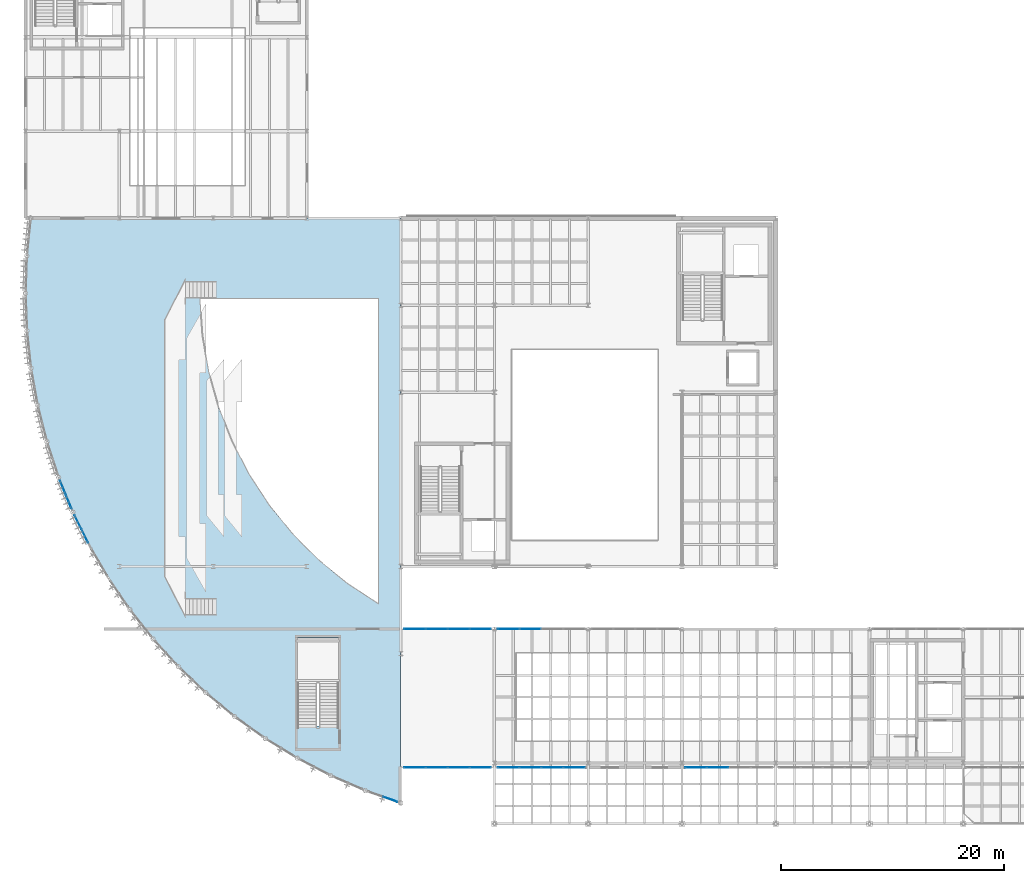
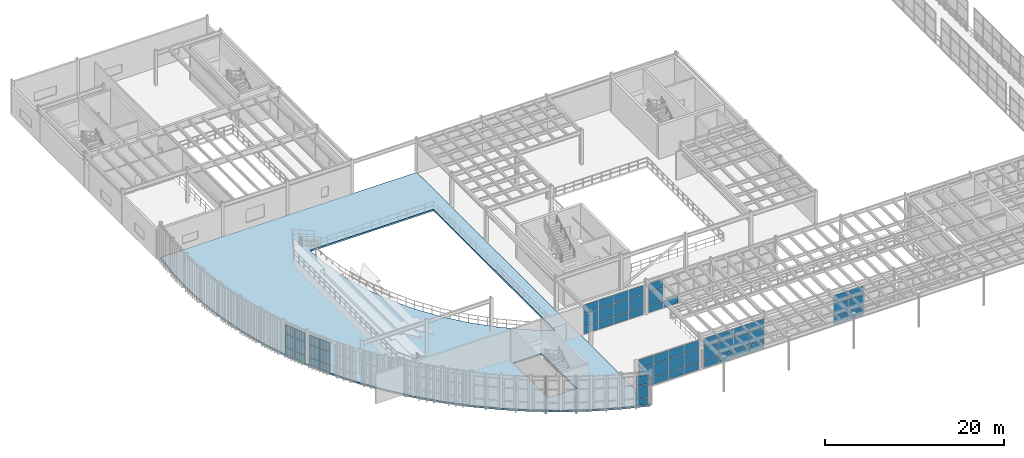
# One storey, part 73 of 105: 61 plates, 1 slab, 8 elements without a shape of their own.
"""IFC4 building model written with IfcOpenShell, lengths in metres."""

from ifc_helpers import new_model, si_unit, direction, frame, origin, origin_2d, place, context, subcontext, project, spatial, polyline, rectangle, outline, extrude, material, layer, layer_set, type_object, element, aggregate, save


model = new_model("IFC4")

# Units and contexts
model_context = context("Model", 3, precision=1e-05, world=origin(), true_north=direction((0.0, 1.0)))
body_context = subcontext(model_context, "Body", "Model", "MODEL_VIEW")
ifc_project = project(units=[si_unit("LENGTHUNIT", "METRE"), si_unit("AREAUNIT", "SQUARE_METRE"), si_unit("VOLUMEUNIT", "CUBIC_METRE"), si_unit("PLANEANGLEUNIT", "RADIAN"), si_unit("MASSUNIT", "GRAM", prefix="KILO")], contexts=[model_context])

# Site, building, storey
site_placement = place(None, origin())
site = spatial("IfcSite", under=ifc_project, at=site_placement, CompositionType="ELEMENT")
building_placement = place(site_placement, origin())
building = spatial("IfcBuilding", under=site, at=building_placement, Name="Selat Folded Stagehouse", CompositionType="ELEMENT")
storey_placement = place(building_placement, frame((0.0, 0.0, 10.199951171875)))
storey = spatial("IfcBuildingStorey", under=building, at=storey_placement, Name="L02", CompositionType="ELEMENT", Elevation=10.199951171875)

# Curtain wall, plates
ifc_material_1 = material(Name="Aluminium 6063-T6", Category="aluminium")
ifc_layer_1 = layer(ifc_material_1, 0.195068359375)
ifc_layer_set_1 = layer_set([ifc_layer_1], Name="Aluminium 6063-T6")
curtain_wall_type_1 = type_object("IfcCurtainWallType", Name="CW-FYR-COURT", PredefinedType="NOTDEFINED", material=ifc_layer_set_1)
curtain_wall_1_placement = place(storey_placement, origin())
curtain_wall_1 = element("IfcCurtainWall", 1, at=curtain_wall_1_placement, inside=storey, type_object=curtain_wall_type_1, Name="L02 curtain wall CW-FYR-L02-07", PredefinedType="NOTDEFINED")
ifc_material_2 = material(Name="Clear laminated double glazing", Category="glass")
ifc_layer_2 = layer(ifc_material_2, 0.028076171875)
ifc_layer_set_2 = layer_set([ifc_layer_2], Name="Clear laminated double glazing")
plate_type_1 = type_object("IfcPlateType", Name="CWP-GLZ-DGU28", PredefinedType="CURTAIN_PANEL", material=ifc_layer_set_2)
plate_1_placement = place(storey_placement, frame((34.853759765625, 17.800048828125, 0.06494140625), z_axis=(0.0, 0.0, 1.0), x_axis=(1.0, 0.0, 0.0)))
plate_1 = element("IfcPlate", 2, at=plate_1_placement, type_object=plate_type_1, Name="CW-05 panel 1.1", PredefinedType="CURTAIN_PANEL", context=body_context, shape_type="SweptSolid", body=[
    extrude(rectangle(XDim=1.87744140625, YDim=0.028076171875, at=origin_2d()), origin(), (0.0, 0.0, 1.0), 0.952392578125),
])
plate_2_placement = place(storey_placement, frame((34.853759765625, 17.800048828125, 1.08251953125), z_axis=(0.0, 0.0, 1.0), x_axis=(1.0, 0.0, 0.0)))
plate_2 = element("IfcPlate", 3, at=plate_2_placement, type_object=plate_type_1, Name="CW-05 panel 1.2", PredefinedType="CURTAIN_PANEL", context=body_context, shape_type="SweptSolid", body=[
    extrude(rectangle(XDim=1.87744140625, YDim=0.028076171875, at=origin_2d()), origin(), (0.0, 0.0, 1.0), 1.735107421875),
])
plate_3_placement = place(storey_placement, frame((34.853759765625, 17.800048828125, 2.88232421875), z_axis=(0.0, 0.0, 1.0), x_axis=(1.0, 0.0, 0.0)))
plate_3 = element("IfcPlate", 4, at=plate_3_placement, type_object=plate_type_1, Name="CW-05 panel 1.3", PredefinedType="CURTAIN_PANEL", context=body_context, shape_type="SweptSolid", body=[
    extrude(rectangle(XDim=1.87744140625, YDim=0.028076171875, at=origin_2d()), origin(), (0.0, 0.0, 1.0), 1.172607421875),
])
plate_4_placement = place(storey_placement, frame((36.8125, 17.800048828125, 0.06494140625), z_axis=(0.0, 0.0, 1.0), x_axis=(1.0, 0.0, 0.0)))
plate_4 = element("IfcPlate", 5, at=plate_4_placement, type_object=plate_type_1, Name="CW-05 panel 2.1", PredefinedType="CURTAIN_PANEL", context=body_context, shape_type="SweptSolid", body=[
    extrude(rectangle(XDim=1.909912109375, YDim=0.028076171875, at=origin_2d()), origin(), (0.0, 0.0, 1.0), 0.952392578125),
])
plate_5_placement = place(storey_placement, frame((36.8125, 17.800048828125, 1.08251953125), z_axis=(0.0, 0.0, 1.0), x_axis=(1.0, 0.0, 0.0)))
plate_5 = element("IfcPlate", 6, at=plate_5_placement, type_object=plate_type_1, Name="CW-05 panel 2.2", PredefinedType="CURTAIN_PANEL", context=body_context, shape_type="SweptSolid", body=[
    extrude(rectangle(XDim=1.909912109375, YDim=0.028076171875, at=origin_2d()), origin(), (0.0, 0.0, 1.0), 1.735107421875),
])
plate_6_placement = place(storey_placement, frame((36.8125, 17.800048828125, 2.88232421875), z_axis=(0.0, 0.0, 1.0), x_axis=(1.0, 0.0, 0.0)))
plate_6 = element("IfcPlate", 7, at=plate_6_placement, type_object=plate_type_1, Name="CW-05 panel 2.3", PredefinedType="CURTAIN_PANEL", context=body_context, shape_type="SweptSolid", body=[
    extrude(rectangle(XDim=1.909912109375, YDim=0.028076171875, at=origin_2d()), origin(), (0.0, 0.0, 1.0), 1.172607421875),
])
plate_7_placement = place(storey_placement, frame((38.78759765625, 17.800048828125, 0.06494140625), z_axis=(0.0, 0.0, 1.0), x_axis=(1.0, 0.0, 0.0)))
plate_7 = element("IfcPlate", 8, at=plate_7_placement, type_object=plate_type_1, Name="CW-05 panel 3.1", PredefinedType="CURTAIN_PANEL", context=body_context, shape_type="SweptSolid", body=[
    extrude(rectangle(XDim=1.909912109375, YDim=0.028076171875, at=origin_2d()), origin(), (0.0, 0.0, 1.0), 0.952392578125),
])
plate_8_placement = place(storey_placement, frame((38.78759765625, 17.800048828125, 1.08251953125), z_axis=(0.0, 0.0, 1.0), x_axis=(1.0, 0.0, 0.0)))
plate_8 = element("IfcPlate", 9, at=plate_8_placement, type_object=plate_type_1, Name="CW-05 panel 3.2", PredefinedType="CURTAIN_PANEL", context=body_context, shape_type="SweptSolid", body=[
    extrude(rectangle(XDim=1.909912109375, YDim=0.028076171875, at=origin_2d()), origin(), (0.0, 0.0, 1.0), 1.735107421875),
])
plate_9_placement = place(storey_placement, frame((38.78759765625, 17.800048828125, 2.88232421875), z_axis=(0.0, 0.0, 1.0), x_axis=(1.0, 0.0, 0.0)))
plate_9 = element("IfcPlate", 10, at=plate_9_placement, type_object=plate_type_1, Name="CW-05 panel 3.3", PredefinedType="CURTAIN_PANEL", context=body_context, shape_type="SweptSolid", body=[
    extrude(rectangle(XDim=1.909912109375, YDim=0.028076171875, at=origin_2d()), origin(), (0.0, 0.0, 1.0), 1.172607421875),
])
plate_10_placement = place(storey_placement, frame((40.746337890625, 17.800048828125, 0.06494140625), z_axis=(0.0, 0.0, 1.0), x_axis=(1.0, 0.0, 0.0)))
plate_10 = element("IfcPlate", 11, at=plate_10_placement, type_object=plate_type_1, Name="CW-05 panel 4.1", PredefinedType="CURTAIN_PANEL", context=body_context, shape_type="SweptSolid", body=[
    extrude(rectangle(XDim=1.87744140625, YDim=0.028076171875, at=origin_2d()), origin(), (0.0, 0.0, 1.0), 0.952392578125),
])
plate_11_placement = place(storey_placement, frame((40.746337890625, 17.800048828125, 1.08251953125), z_axis=(0.0, 0.0, 1.0), x_axis=(1.0, 0.0, 0.0)))
plate_11 = element("IfcPlate", 12, at=plate_11_placement, type_object=plate_type_1, Name="CW-05 panel 4.2", PredefinedType="CURTAIN_PANEL", context=body_context, shape_type="SweptSolid", body=[
    extrude(rectangle(XDim=1.87744140625, YDim=0.028076171875, at=origin_2d()), origin(), (0.0, 0.0, 1.0), 1.735107421875),
])
plate_12_placement = place(storey_placement, frame((40.746337890625, 17.800048828125, 2.88232421875), z_axis=(0.0, 0.0, 1.0), x_axis=(1.0, 0.0, 0.0)))
plate_12 = element("IfcPlate", 13, at=plate_12_placement, type_object=plate_type_1, Name="CW-05 panel 4.3", PredefinedType="CURTAIN_PANEL", context=body_context, shape_type="SweptSolid", body=[
    extrude(rectangle(XDim=1.87744140625, YDim=0.028076171875, at=origin_2d()), origin(), (0.0, 0.0, 1.0), 1.172607421875),
])
aggregate(curtain_wall_1, [plate_1, plate_2, plate_3, plate_4, plate_5, plate_6, plate_7, plate_8, plate_9, plate_10, plate_11, plate_12])

curtain_wall_2_placement = place(storey_placement, origin())
curtain_wall_2 = element("IfcCurtainWall", 14, at=curtain_wall_2_placement, inside=storey, type_object=curtain_wall_type_1, Name="L02 curtain wall CW-FYR-L02-08", PredefinedType="NOTDEFINED")
plate_13_placement = place(storey_placement, frame((43.253662109375, 17.800048828125, 0.06494140625), z_axis=(0.0, 0.0, 1.0), x_axis=(1.0, 0.0, 0.0)))
plate_13 = element("IfcPlate", 15, at=plate_13_placement, type_object=plate_type_1, Name="CW-05 panel 1.1", PredefinedType="CURTAIN_PANEL", context=body_context, shape_type="SweptSolid", body=[
    extrude(rectangle(XDim=1.87744140625, YDim=0.028076171875, at=origin_2d()), origin(), (0.0, 0.0, 1.0), 0.952392578125),
])
plate_14_placement = place(storey_placement, frame((43.253662109375, 17.800048828125, 1.08251953125), z_axis=(0.0, 0.0, 1.0), x_axis=(1.0, 0.0, 0.0)))
plate_14 = element("IfcPlate", 16, at=plate_14_placement, type_object=plate_type_1, Name="CW-05 panel 1.2", PredefinedType="CURTAIN_PANEL", context=body_context, shape_type="SweptSolid", body=[
    extrude(rectangle(XDim=1.87744140625, YDim=0.028076171875, at=origin_2d()), origin(), (0.0, 0.0, 1.0), 1.735107421875),
])
plate_15_placement = place(storey_placement, frame((43.253662109375, 17.800048828125, 2.88232421875), z_axis=(0.0, 0.0, 1.0), x_axis=(1.0, 0.0, 0.0)))
plate_15 = element("IfcPlate", 17, at=plate_15_placement, type_object=plate_type_1, Name="CW-05 panel 1.3", PredefinedType="CURTAIN_PANEL", context=body_context, shape_type="SweptSolid", body=[
    extrude(rectangle(XDim=1.87744140625, YDim=0.028076171875, at=origin_2d()), origin(), (0.0, 0.0, 1.0), 1.172607421875),
])
plate_16_placement = place(storey_placement, frame((45.21240234375, 17.800048828125, 0.06494140625), z_axis=(0.0, 0.0, 1.0), x_axis=(1.0, 0.0, 0.0)))
plate_16 = element("IfcPlate", 18, at=plate_16_placement, type_object=plate_type_1, Name="CW-05 panel 2.1", PredefinedType="CURTAIN_PANEL", context=body_context, shape_type="SweptSolid", body=[
    extrude(rectangle(XDim=1.909912109375, YDim=0.028076171875, at=origin_2d()), origin(), (0.0, 0.0, 1.0), 0.952392578125),
])
aggregate(curtain_wall_2, [plate_13, plate_14, plate_15, plate_16])

ifc_layer_3 = layer(ifc_material_1, 0.199951171875)
ifc_layer_set_3 = layer_set([ifc_layer_3], Name="Aluminium 6063-T6")
curtain_wall_type_2 = type_object("IfcCurtainWallType", Name="CW-DRM-MID", PredefinedType="NOTDEFINED", material=ifc_layer_set_3)
curtain_wall_3_placement = place(storey_placement, origin())
curtain_wall_3 = element("IfcCurtainWall", 19, at=curtain_wall_3_placement, inside=storey, type_object=curtain_wall_type_2, Name="L02 curtain wall CW-DRM-L02-07", PredefinedType="NOTDEFINED")
ifc_material_3 = material(Name="Laminated low-E double glazing", Category="glass")
ifc_layer_4 = layer(ifc_material_3, 0.031982421875)
ifc_layer_set_4 = layer_set([ifc_layer_4], Name="Laminated low-E double glazing")
plate_type_2 = type_object("IfcPlateType", Name="CWP-GLZ-DGU32", PredefinedType="CURTAIN_PANEL", material=ifc_layer_set_4)
plate_17_placement = place(storey_placement, frame((3.871337890625, 29.176513671875, 0.06494140625), z_axis=(0.0, 0.0, 1.0), x_axis=(-0.378890707813, 0.925441425231, 0.0)))
plate_17 = element("IfcPlate", 20, at=plate_17_placement, type_object=plate_type_2, Name="CW-02 panel 1.1", PredefinedType="CURTAIN_PANEL", context=body_context, shape_type="SweptSolid", body=[
    extrude(rectangle(XDim=1.3369140625, YDim=0.031982421875, at=origin_2d()), origin(), (0.0, 0.0, 1.0), 0.952392578125),
])
plate_18_placement = place(storey_placement, frame((3.871337890625, 29.176513671875, 1.08251953125), z_axis=(0.0, 0.0, 1.0), x_axis=(-0.378890707813, 0.925441425231, 0.0)))
plate_18 = element("IfcPlate", 21, at=plate_18_placement, type_object=plate_type_2, Name="CW-02 panel 1.2", PredefinedType="CURTAIN_PANEL", context=body_context, shape_type="SweptSolid", body=[
    extrude(rectangle(XDim=1.3369140625, YDim=0.031982421875, at=origin_2d()), origin(), (0.0, 0.0, 1.0), 1.735107421875),
])
plate_19_placement = place(storey_placement, frame((3.871337890625, 29.176513671875, 2.882568359375), z_axis=(0.0, 0.0, 1.0), x_axis=(-0.378890707813, 0.925441425231, 0.0)))
plate_19 = element("IfcPlate", 22, at=plate_19_placement, type_object=plate_type_2, Name="CW-02 panel 1.3", PredefinedType="CURTAIN_PANEL", context=body_context, shape_type="SweptSolid", body=[
    extrude(rectangle(XDim=1.3369140625, YDim=0.031982421875, at=origin_2d()), origin(), (0.0, 0.0, 1.0), 1.21240234375),
])
plate_20_placement = place(storey_placement, frame((3.340087890625, 30.47412109375, 0.06494140625), z_axis=(0.0, 0.0, 1.0), x_axis=(-0.378890707813, 0.925441425231, 0.0)))
plate_20 = element("IfcPlate", 23, at=plate_20_placement, type_object=plate_type_2, Name="CW-02 panel 2.1", PredefinedType="CURTAIN_PANEL", context=body_context, shape_type="SweptSolid", body=[
    extrude(rectangle(XDim=1.3369140625, YDim=0.031982421875, at=origin_2d()), origin(), (0.0, 0.0, 1.0), 0.952392578125),
])
plate_21_placement = place(storey_placement, frame((3.340087890625, 30.47412109375, 1.08251953125), z_axis=(0.0, 0.0, 1.0), x_axis=(-0.378890707813, 0.925441425231, 0.0)))
plate_21 = element("IfcPlate", 24, at=plate_21_placement, type_object=plate_type_2, Name="CW-02 panel 2.2", PredefinedType="CURTAIN_PANEL", context=body_context, shape_type="SweptSolid", body=[
    extrude(rectangle(XDim=1.3369140625, YDim=0.031982421875, at=origin_2d()), origin(), (0.0, 0.0, 1.0), 1.735107421875),
])
plate_22_placement = place(storey_placement, frame((3.340087890625, 30.47412109375, 2.882568359375), z_axis=(0.0, 0.0, 1.0), x_axis=(-0.378890707813, 0.925441425231, 0.0)))
plate_22 = element("IfcPlate", 25, at=plate_22_placement, type_object=plate_type_2, Name="CW-02 panel 2.3", PredefinedType="CURTAIN_PANEL", context=body_context, shape_type="SweptSolid", body=[
    extrude(rectangle(XDim=1.3369140625, YDim=0.031982421875, at=origin_2d()), origin(), (0.0, 0.0, 1.0), 1.21240234375),
])
aggregate(curtain_wall_3, [plate_17, plate_18, plate_19, plate_20, plate_21, plate_22])

curtain_wall_4_placement = place(storey_placement, origin())
curtain_wall_4 = element("IfcCurtainWall", 26, at=curtain_wall_4_placement, inside=storey, type_object=curtain_wall_type_2, Name="L02 curtain wall CW-DRM-L02-08", PredefinedType="NOTDEFINED")
plate_23_placement = place(storey_placement, frame((5.300537109375, 26.12744140625, 0.06494140625), z_axis=(0.0, 0.0, 1.0), x_axis=(-0.442844653705, 0.896598356392, 0.0)))
plate_23 = element("IfcPlate", 27, at=plate_23_placement, type_object=plate_type_2, Name="CW-02 panel 1.1", PredefinedType="CURTAIN_PANEL", context=body_context, shape_type="SweptSolid", body=[
    extrude(rectangle(XDim=1.337158203125, YDim=0.031982421875, at=origin_2d()), origin(), (0.0, 0.0, 1.0), 0.952392578125),
])
plate_24_placement = place(storey_placement, frame((5.300537109375, 26.12744140625, 1.08251953125), z_axis=(0.0, 0.0, 1.0), x_axis=(-0.442844653705, 0.896598356392, 0.0)))
plate_24 = element("IfcPlate", 28, at=plate_24_placement, type_object=plate_type_2, Name="CW-02 panel 1.2", PredefinedType="CURTAIN_PANEL", context=body_context, shape_type="SweptSolid", body=[
    extrude(rectangle(XDim=1.337158203125, YDim=0.031982421875, at=origin_2d()), origin(), (0.0, 0.0, 1.0), 1.735107421875),
])
plate_25_placement = place(storey_placement, frame((5.300537109375, 26.12744140625, 2.882568359375), z_axis=(0.0, 0.0, 1.0), x_axis=(-0.442844653705, 0.896598356392, 0.0)))
plate_25 = element("IfcPlate", 29, at=plate_25_placement, type_object=plate_type_2, Name="CW-02 panel 1.3", PredefinedType="CURTAIN_PANEL", context=body_context, shape_type="SweptSolid", body=[
    extrude(rectangle(XDim=1.337158203125, YDim=0.031982421875, at=origin_2d()), origin(), (0.0, 0.0, 1.0), 1.21240234375),
])
plate_26_placement = place(storey_placement, frame((4.679443359375, 27.384521484375, 0.06494140625), z_axis=(0.0, 0.0, 1.0), x_axis=(-0.442844653705, 0.896598356392, 0.0)))
plate_26 = element("IfcPlate", 30, at=plate_26_placement, type_object=plate_type_2, Name="CW-02 panel 2.1", PredefinedType="CURTAIN_PANEL", context=body_context, shape_type="SweptSolid", body=[
    extrude(rectangle(XDim=1.337158203125, YDim=0.031982421875, at=origin_2d()), origin(), (0.0, 0.0, 1.0), 0.952392578125),
])
plate_27_placement = place(storey_placement, frame((4.679443359375, 27.384521484375, 1.08251953125), z_axis=(0.0, 0.0, 1.0), x_axis=(-0.442844653705, 0.896598356392, 0.0)))
plate_27 = element("IfcPlate", 31, at=plate_27_placement, type_object=plate_type_2, Name="CW-02 panel 2.2", PredefinedType="CURTAIN_PANEL", context=body_context, shape_type="SweptSolid", body=[
    extrude(rectangle(XDim=1.337158203125, YDim=0.031982421875, at=origin_2d()), origin(), (0.0, 0.0, 1.0), 1.735107421875),
])
plate_28_placement = place(storey_placement, frame((4.679443359375, 27.384521484375, 2.882568359375), z_axis=(0.0, 0.0, 1.0), x_axis=(-0.442844653705, 0.896598356392, 0.0)))
plate_28 = element("IfcPlate", 32, at=plate_28_placement, type_object=plate_type_2, Name="CW-02 panel 2.3", PredefinedType="CURTAIN_PANEL", context=body_context, shape_type="SweptSolid", body=[
    extrude(rectangle(XDim=1.337158203125, YDim=0.031982421875, at=origin_2d()), origin(), (0.0, 0.0, 1.0), 1.21240234375),
])
aggregate(curtain_wall_4, [plate_23, plate_24, plate_25, plate_26, plate_27, plate_28])

curtain_wall_5_placement = place(storey_placement, origin())
curtain_wall_5 = element("IfcCurtainWall", 33, at=curtain_wall_5_placement, inside=storey, type_object=curtain_wall_type_2, Name="L02 curtain wall CW-DRM-L02-19", PredefinedType="NOTDEFINED")
plate_29_placement = place(storey_placement, frame((32.672607421875, 2.53857421875, 0.06494140625), z_axis=(0.0, 0.0, 1.0), x_axis=(-0.942815824106, 0.333314148838, 0.0)))
plate_29 = element("IfcPlate", 34, at=plate_29_placement, type_object=plate_type_2, Name="CW-02 panel 1.1", PredefinedType="CURTAIN_PANEL", context=body_context, shape_type="SweptSolid", body=[
    extrude(rectangle(XDim=1.3369140625, YDim=0.031982421875, at=origin_2d()), origin(), (0.0, 0.0, 1.0), 0.952392578125),
])
plate_30_placement = place(storey_placement, frame((32.672607421875, 2.53857421875, 1.08251953125), z_axis=(0.0, 0.0, 1.0), x_axis=(-0.942815824106, 0.333314148838, 0.0)))
plate_30 = element("IfcPlate", 35, at=plate_30_placement, type_object=plate_type_2, Name="CW-02 panel 1.2", PredefinedType="CURTAIN_PANEL", context=body_context, shape_type="SweptSolid", body=[
    extrude(rectangle(XDim=1.3369140625, YDim=0.031982421875, at=origin_2d()), origin(), (0.0, 0.0, 1.0), 1.735107421875),
])
plate_31_placement = place(storey_placement, frame((32.672607421875, 2.53857421875, 2.882568359375), z_axis=(0.0, 0.0, 1.0), x_axis=(-0.942815824106, 0.333314148838, 0.0)))
plate_31 = element("IfcPlate", 36, at=plate_31_placement, type_object=plate_type_2, Name="CW-02 panel 1.3", PredefinedType="CURTAIN_PANEL", context=body_context, shape_type="SweptSolid", body=[
    extrude(rectangle(XDim=1.3369140625, YDim=0.031982421875, at=origin_2d()), origin(), (0.0, 0.0, 1.0), 1.21240234375),
])
aggregate(curtain_wall_5, [plate_29, plate_30, plate_31])

ifc_layer_5 = layer(ifc_material_1, 0.2099609375)
ifc_layer_set_5 = layer_set([ifc_layer_5], Name="Aluminium 6063-T6")
curtain_wall_type_3 = type_object("IfcCurtainWallType", Name="CW-FYR-SOUTH", PredefinedType="NOTDEFINED", material=ifc_layer_set_5)
curtain_wall_6_placement = place(storey_placement, origin())
curtain_wall_6 = element("IfcCurtainWall", 37, at=curtain_wall_6_placement, inside=storey, type_object=curtain_wall_type_3, Name="L02 curtain wall CW-FYR-L02-00", PredefinedType="NOTDEFINED")
ifc_material_4 = material(Name="Acoustic laminated double glazing", Category="glass")
ifc_layer_6 = layer(ifc_material_4, 0.035888671875)
ifc_layer_set_6 = layer_set([ifc_layer_6], Name="Acoustic laminated double glazing")
plate_type_3 = type_object("IfcPlateType", Name="CWP-GLZ-DGU36", PredefinedType="CURTAIN_PANEL", material=ifc_layer_set_6)
plate_32_placement = place(storey_placement, frame((40.746337890625, 5.39990234375, 0.06494140625), z_axis=(0.0, 0.0, 1.0), x_axis=(-1.0, 0.0, 0.0)))
plate_32 = element("IfcPlate", 38, at=plate_32_placement, type_object=plate_type_3, Name="CW-04 panel 1.1", PredefinedType="CURTAIN_PANEL", context=body_context, shape_type="SweptSolid", body=[
    extrude(rectangle(XDim=1.87744140625, YDim=0.035888671875, at=origin_2d()), origin(), (0.0, 0.0, 1.0), 0.952392578125),
])
plate_33_placement = place(storey_placement, frame((40.746337890625, 5.39990234375, 1.08251953125), z_axis=(0.0, 0.0, 1.0), x_axis=(-1.0, 0.0, 0.0)))
plate_33 = element("IfcPlate", 39, at=plate_33_placement, type_object=plate_type_3, Name="CW-04 panel 1.2", PredefinedType="CURTAIN_PANEL", context=body_context, shape_type="SweptSolid", body=[
    extrude(rectangle(XDim=1.87744140625, YDim=0.035888671875, at=origin_2d()), origin(), (0.0, 0.0, 1.0), 1.735107421875),
])
plate_34_placement = place(storey_placement, frame((40.746337890625, 5.39990234375, 2.88232421875), z_axis=(0.0, 0.0, 1.0), x_axis=(-1.0, 0.0, 0.0)))
plate_34 = element("IfcPlate", 40, at=plate_34_placement, type_object=plate_type_3, Name="CW-04 panel 1.3", PredefinedType="CURTAIN_PANEL", context=body_context, shape_type="SweptSolid", body=[
    extrude(rectangle(XDim=1.87744140625, YDim=0.035888671875, at=origin_2d()), origin(), (0.0, 0.0, 1.0), 1.172607421875),
])
plate_35_placement = place(storey_placement, frame((38.78759765625, 5.39990234375, 0.06494140625), z_axis=(0.0, 0.0, 1.0), x_axis=(-1.0, 0.0, 0.0)))
plate_35 = element("IfcPlate", 41, at=plate_35_placement, type_object=plate_type_3, Name="CW-04 panel 2.1", PredefinedType="CURTAIN_PANEL", context=body_context, shape_type="SweptSolid", body=[
    extrude(rectangle(XDim=1.909912109375, YDim=0.035888671875, at=origin_2d()), origin(), (0.0, 0.0, 1.0), 0.952392578125),
])
plate_36_placement = place(storey_placement, frame((38.78759765625, 5.39990234375, 1.08251953125), z_axis=(0.0, 0.0, 1.0), x_axis=(-1.0, 0.0, 0.0)))
plate_36 = element("IfcPlate", 42, at=plate_36_placement, type_object=plate_type_3, Name="CW-04 panel 2.2", PredefinedType="CURTAIN_PANEL", context=body_context, shape_type="SweptSolid", body=[
    extrude(rectangle(XDim=1.909912109375, YDim=0.035888671875, at=origin_2d()), origin(), (0.0, 0.0, 1.0), 1.735107421875),
])
plate_37_placement = place(storey_placement, frame((38.78759765625, 5.39990234375, 2.88232421875), z_axis=(0.0, 0.0, 1.0), x_axis=(-1.0, 0.0, 0.0)))
plate_37 = element("IfcPlate", 43, at=plate_37_placement, type_object=plate_type_3, Name="CW-04 panel 2.3", PredefinedType="CURTAIN_PANEL", context=body_context, shape_type="SweptSolid", body=[
    extrude(rectangle(XDim=1.909912109375, YDim=0.035888671875, at=origin_2d()), origin(), (0.0, 0.0, 1.0), 1.172607421875),
])
plate_38_placement = place(storey_placement, frame((36.8125, 5.39990234375, 0.06494140625), z_axis=(0.0, 0.0, 1.0), x_axis=(-1.0, 0.0, 0.0)))
plate_38 = element("IfcPlate", 44, at=plate_38_placement, type_object=plate_type_3, Name="CW-04 panel 3.1", PredefinedType="CURTAIN_PANEL", context=body_context, shape_type="SweptSolid", body=[
    extrude(rectangle(XDim=1.909912109375, YDim=0.035888671875, at=origin_2d()), origin(), (0.0, 0.0, 1.0), 0.952392578125),
])
plate_39_placement = place(storey_placement, frame((36.8125, 5.39990234375, 1.08251953125), z_axis=(0.0, 0.0, 1.0), x_axis=(-1.0, 0.0, 0.0)))
plate_39 = element("IfcPlate", 45, at=plate_39_placement, type_object=plate_type_3, Name="CW-04 panel 3.2", PredefinedType="CURTAIN_PANEL", context=body_context, shape_type="SweptSolid", body=[
    extrude(rectangle(XDim=1.909912109375, YDim=0.035888671875, at=origin_2d()), origin(), (0.0, 0.0, 1.0), 1.735107421875),
])
plate_40_placement = place(storey_placement, frame((36.8125, 5.39990234375, 2.88232421875), z_axis=(0.0, 0.0, 1.0), x_axis=(-1.0, 0.0, 0.0)))
plate_40 = element("IfcPlate", 46, at=plate_40_placement, type_object=plate_type_3, Name="CW-04 panel 3.3", PredefinedType="CURTAIN_PANEL", context=body_context, shape_type="SweptSolid", body=[
    extrude(rectangle(XDim=1.909912109375, YDim=0.035888671875, at=origin_2d()), origin(), (0.0, 0.0, 1.0), 1.172607421875),
])
plate_41_placement = place(storey_placement, frame((34.853759765625, 5.39990234375, 0.06494140625), z_axis=(0.0, 0.0, 1.0), x_axis=(-1.0, 0.0, 0.0)))
plate_41 = element("IfcPlate", 47, at=plate_41_placement, type_object=plate_type_3, Name="CW-04 panel 4.1", PredefinedType="CURTAIN_PANEL", context=body_context, shape_type="SweptSolid", body=[
    extrude(rectangle(XDim=1.87744140625, YDim=0.035888671875, at=origin_2d()), origin(), (0.0, 0.0, 1.0), 0.952392578125),
])
plate_42_placement = place(storey_placement, frame((34.853759765625, 5.39990234375, 1.08251953125), z_axis=(0.0, 0.0, 1.0), x_axis=(-1.0, 0.0, 0.0)))
plate_42 = element("IfcPlate", 48, at=plate_42_placement, type_object=plate_type_3, Name="CW-04 panel 4.2", PredefinedType="CURTAIN_PANEL", context=body_context, shape_type="SweptSolid", body=[
    extrude(rectangle(XDim=1.87744140625, YDim=0.035888671875, at=origin_2d()), origin(), (0.0, 0.0, 1.0), 1.735107421875),
])
plate_43_placement = place(storey_placement, frame((34.853759765625, 5.39990234375, 2.88232421875), z_axis=(0.0, 0.0, 1.0), x_axis=(-1.0, 0.0, 0.0)))
plate_43 = element("IfcPlate", 49, at=plate_43_placement, type_object=plate_type_3, Name="CW-04 panel 4.3", PredefinedType="CURTAIN_PANEL", context=body_context, shape_type="SweptSolid", body=[
    extrude(rectangle(XDim=1.87744140625, YDim=0.035888671875, at=origin_2d()), origin(), (0.0, 0.0, 1.0), 1.172607421875),
])
aggregate(curtain_wall_6, [plate_32, plate_33, plate_34, plate_35, plate_36, plate_37, plate_38, plate_39, plate_40, plate_41, plate_42, plate_43])

curtain_wall_7_placement = place(storey_placement, origin())
curtain_wall_7 = element("IfcCurtainWall", 50, at=curtain_wall_7_placement, inside=storey, type_object=curtain_wall_type_3, Name="L02 curtain wall CW-FYR-L02-01", PredefinedType="NOTDEFINED")
plate_44_placement = place(storey_placement, frame((49.146240234375, 5.39990234375, 0.06494140625), z_axis=(0.0, 0.0, 1.0), x_axis=(-1.0, 0.0, 0.0)))
plate_44 = element("IfcPlate", 51, at=plate_44_placement, type_object=plate_type_3, Name="CW-04 panel 1.1", PredefinedType="CURTAIN_PANEL", context=body_context, shape_type="SweptSolid", body=[
    extrude(rectangle(XDim=1.87744140625, YDim=0.035888671875, at=origin_2d()), origin(), (0.0, 0.0, 1.0), 0.952392578125),
])
plate_45_placement = place(storey_placement, frame((49.146240234375, 5.39990234375, 1.08251953125), z_axis=(0.0, 0.0, 1.0), x_axis=(-1.0, 0.0, 0.0)))
plate_45 = element("IfcPlate", 52, at=plate_45_placement, type_object=plate_type_3, Name="CW-04 panel 1.2", PredefinedType="CURTAIN_PANEL", context=body_context, shape_type="SweptSolid", body=[
    extrude(rectangle(XDim=1.87744140625, YDim=0.035888671875, at=origin_2d()), origin(), (0.0, 0.0, 1.0), 1.735107421875),
])
plate_46_placement = place(storey_placement, frame((49.146240234375, 5.39990234375, 2.88232421875), z_axis=(0.0, 0.0, 1.0), x_axis=(-1.0, 0.0, 0.0)))
plate_46 = element("IfcPlate", 53, at=plate_46_placement, type_object=plate_type_3, Name="CW-04 panel 1.3", PredefinedType="CURTAIN_PANEL", context=body_context, shape_type="SweptSolid", body=[
    extrude(rectangle(XDim=1.87744140625, YDim=0.035888671875, at=origin_2d()), origin(), (0.0, 0.0, 1.0), 1.172607421875),
])
plate_47_placement = place(storey_placement, frame((47.1875, 5.39990234375, 0.06494140625), z_axis=(0.0, 0.0, 1.0), x_axis=(-1.0, 0.0, 0.0)))
plate_47 = element("IfcPlate", 54, at=plate_47_placement, type_object=plate_type_3, Name="CW-04 panel 2.1", PredefinedType="CURTAIN_PANEL", context=body_context, shape_type="SweptSolid", body=[
    extrude(rectangle(XDim=1.909912109375, YDim=0.035888671875, at=origin_2d()), origin(), (0.0, 0.0, 1.0), 0.952392578125),
])
plate_48_placement = place(storey_placement, frame((47.1875, 5.39990234375, 1.08251953125), z_axis=(0.0, 0.0, 1.0), x_axis=(-1.0, 0.0, 0.0)))
plate_48 = element("IfcPlate", 55, at=plate_48_placement, type_object=plate_type_3, Name="CW-04 panel 2.2", PredefinedType="CURTAIN_PANEL", context=body_context, shape_type="SweptSolid", body=[
    extrude(rectangle(XDim=1.909912109375, YDim=0.035888671875, at=origin_2d()), origin(), (0.0, 0.0, 1.0), 1.735107421875),
])
plate_49_placement = place(storey_placement, frame((47.1875, 5.39990234375, 2.88232421875), z_axis=(0.0, 0.0, 1.0), x_axis=(-1.0, 0.0, 0.0)))
plate_49 = element("IfcPlate", 56, at=plate_49_placement, type_object=plate_type_3, Name="CW-04 panel 2.3", PredefinedType="CURTAIN_PANEL", context=body_context, shape_type="SweptSolid", body=[
    extrude(rectangle(XDim=1.909912109375, YDim=0.035888671875, at=origin_2d()), origin(), (0.0, 0.0, 1.0), 1.172607421875),
])
plate_50_placement = place(storey_placement, frame((45.21240234375, 5.39990234375, 0.06494140625), z_axis=(0.0, 0.0, 1.0), x_axis=(-1.0, 0.0, 0.0)))
plate_50 = element("IfcPlate", 57, at=plate_50_placement, type_object=plate_type_3, Name="CW-04 panel 3.1", PredefinedType="CURTAIN_PANEL", context=body_context, shape_type="SweptSolid", body=[
    extrude(rectangle(XDim=1.909912109375, YDim=0.035888671875, at=origin_2d()), origin(), (0.0, 0.0, 1.0), 0.952392578125),
])
plate_51_placement = place(storey_placement, frame((45.21240234375, 5.39990234375, 1.08251953125), z_axis=(0.0, 0.0, 1.0), x_axis=(-1.0, 0.0, 0.0)))
plate_51 = element("IfcPlate", 58, at=plate_51_placement, type_object=plate_type_3, Name="CW-04 panel 3.2", PredefinedType="CURTAIN_PANEL", context=body_context, shape_type="SweptSolid", body=[
    extrude(rectangle(XDim=1.909912109375, YDim=0.035888671875, at=origin_2d()), origin(), (0.0, 0.0, 1.0), 1.735107421875),
])
plate_52_placement = place(storey_placement, frame((45.21240234375, 5.39990234375, 2.88232421875), z_axis=(0.0, 0.0, 1.0), x_axis=(-1.0, 0.0, 0.0)))
plate_52 = element("IfcPlate", 59, at=plate_52_placement, type_object=plate_type_3, Name="CW-04 panel 3.3", PredefinedType="CURTAIN_PANEL", context=body_context, shape_type="SweptSolid", body=[
    extrude(rectangle(XDim=1.909912109375, YDim=0.035888671875, at=origin_2d()), origin(), (0.0, 0.0, 1.0), 1.172607421875),
])
plate_53_placement = place(storey_placement, frame((43.253662109375, 5.39990234375, 0.06494140625), z_axis=(0.0, 0.0, 1.0), x_axis=(-1.0, 0.0, 0.0)))
plate_53 = element("IfcPlate", 60, at=plate_53_placement, type_object=plate_type_3, Name="CW-04 panel 4.1", PredefinedType="CURTAIN_PANEL", context=body_context, shape_type="SweptSolid", body=[
    extrude(rectangle(XDim=1.87744140625, YDim=0.035888671875, at=origin_2d()), origin(), (0.0, 0.0, 1.0), 0.952392578125),
])
plate_54_placement = place(storey_placement, frame((43.253662109375, 5.39990234375, 1.08251953125), z_axis=(0.0, 0.0, 1.0), x_axis=(-1.0, 0.0, 0.0)))
plate_54 = element("IfcPlate", 61, at=plate_54_placement, type_object=plate_type_3, Name="CW-04 panel 4.2", PredefinedType="CURTAIN_PANEL", context=body_context, shape_type="SweptSolid", body=[
    extrude(rectangle(XDim=1.87744140625, YDim=0.035888671875, at=origin_2d()), origin(), (0.0, 0.0, 1.0), 1.735107421875),
])
plate_55_placement = place(storey_placement, frame((43.253662109375, 5.39990234375, 2.88232421875), z_axis=(0.0, 0.0, 1.0), x_axis=(-1.0, 0.0, 0.0)))
plate_55 = element("IfcPlate", 62, at=plate_55_placement, type_object=plate_type_3, Name="CW-04 panel 4.3", PredefinedType="CURTAIN_PANEL", context=body_context, shape_type="SweptSolid", body=[
    extrude(rectangle(XDim=1.87744140625, YDim=0.035888671875, at=origin_2d()), origin(), (0.0, 0.0, 1.0), 1.172607421875),
])
aggregate(curtain_wall_7, [plate_44, plate_45, plate_46, plate_47, plate_48, plate_49, plate_50, plate_51, plate_52, plate_53, plate_54, plate_55])

curtain_wall_8_placement = place(storey_placement, origin())
curtain_wall_8 = element("IfcCurtainWall", 63, at=curtain_wall_8_placement, inside=storey, type_object=curtain_wall_type_3, Name="L02 curtain wall CW-FYR-L02-02", PredefinedType="NOTDEFINED")
plate_56_placement = place(storey_placement, frame((62.012451171875, 5.39990234375, 0.06494140625), z_axis=(0.0, 0.0, 1.0), x_axis=(-1.0, 0.0, 0.0)))
plate_56 = element("IfcPlate", 64, at=plate_56_placement, type_object=plate_type_3, Name="CW-04 panel 3.1", PredefinedType="CURTAIN_PANEL", context=body_context, shape_type="SweptSolid", body=[
    extrude(rectangle(XDim=1.909912109375, YDim=0.035888671875, at=origin_2d()), origin(), (0.0, 0.0, 1.0), 0.952392578125),
])
plate_57_placement = place(storey_placement, frame((62.012451171875, 5.39990234375, 1.08251953125), z_axis=(0.0, 0.0, 1.0), x_axis=(-1.0, 0.0, 0.0)))
plate_57 = element("IfcPlate", 65, at=plate_57_placement, type_object=plate_type_3, Name="CW-04 panel 3.2", PredefinedType="CURTAIN_PANEL", context=body_context, shape_type="SweptSolid", body=[
    extrude(rectangle(XDim=1.909912109375, YDim=0.035888671875, at=origin_2d()), origin(), (0.0, 0.0, 1.0), 1.735107421875),
])
plate_58_placement = place(storey_placement, frame((62.012451171875, 5.39990234375, 2.88232421875), z_axis=(0.0, 0.0, 1.0), x_axis=(-1.0, 0.0, 0.0)))
plate_58 = element("IfcPlate", 66, at=plate_58_placement, type_object=plate_type_3, Name="CW-04 panel 3.3", PredefinedType="CURTAIN_PANEL", context=body_context, shape_type="SweptSolid", body=[
    extrude(rectangle(XDim=1.909912109375, YDim=0.035888671875, at=origin_2d()), origin(), (0.0, 0.0, 1.0), 1.172607421875),
])
plate_59_placement = place(storey_placement, frame((60.0537109375, 5.39990234375, 0.06494140625), z_axis=(0.0, 0.0, 1.0), x_axis=(-1.0, 0.0, 0.0)))
plate_59 = element("IfcPlate", 67, at=plate_59_placement, type_object=plate_type_3, Name="CW-04 panel 4.1", PredefinedType="CURTAIN_PANEL", context=body_context, shape_type="SweptSolid", body=[
    extrude(rectangle(XDim=1.87744140625, YDim=0.035888671875, at=origin_2d()), origin(), (0.0, 0.0, 1.0), 0.952392578125),
])
plate_60_placement = place(storey_placement, frame((60.0537109375, 5.39990234375, 1.08251953125), z_axis=(0.0, 0.0, 1.0), x_axis=(-1.0, 0.0, 0.0)))
plate_60 = element("IfcPlate", 68, at=plate_60_placement, type_object=plate_type_3, Name="CW-04 panel 4.2", PredefinedType="CURTAIN_PANEL", context=body_context, shape_type="SweptSolid", body=[
    extrude(rectangle(XDim=1.87744140625, YDim=0.035888671875, at=origin_2d()), origin(), (0.0, 0.0, 1.0), 1.735107421875),
])
plate_61_placement = place(storey_placement, frame((60.0537109375, 5.39990234375, 2.88232421875), z_axis=(0.0, 0.0, 1.0), x_axis=(-1.0, 0.0, 0.0)))
plate_61 = element("IfcPlate", 69, at=plate_61_placement, type_object=plate_type_3, Name="CW-04 panel 4.3", PredefinedType="CURTAIN_PANEL", context=body_context, shape_type="SweptSolid", body=[
    extrude(rectangle(XDim=1.87744140625, YDim=0.035888671875, at=origin_2d()), origin(), (0.0, 0.0, 1.0), 1.172607421875),
])
aggregate(curtain_wall_8, [plate_56, plate_57, plate_58, plate_59, plate_60, plate_61])

# Slab
ifc_material_5 = material(Name="Concrete C40/50", Category="concrete")
ifc_layer_7 = layer(ifc_material_5, 0.219970703125)
ifc_layer_set_7 = layer_set([ifc_layer_7], Name="Concrete C40/50")
slab_type = type_object("IfcSlabType", Name="SLAB-FLR-220", PredefinedType="FLOOR", material=ifc_layer_set_7)
slab_placement = place(storey_placement, frame((0.0, 0.0, -0.219970703125)))
element("IfcSlab", 70, at=slab_placement, inside=storey, type_object=slab_type, Name="L02 V1 floor slab SL-L02-V1", PredefinedType="FLOOR", context=body_context, shape_type="SweptSolid", body=[
    extrude(outline(polyline([(0.455810546875, 54.60009765625), (0.110107421875, 51.248779296875), (0.0, 47.881591796875), (0.126708984375, 44.514892578125), (0.489013671875, 41.16552734375), (1.08544921875, 37.849609375), (1.9130859375, 34.583984375), (2.967529296875, 31.38427734375), (4.243896484375, 28.266357421875), (5.736083984375, 25.24560546875), (7.436279296875, 22.337158203125), (9.336181640625, 19.55517578125), (11.4267578125, 16.9130859375), (13.697509765625, 14.42431640625), (16.136962890625, 12.100830078125), (18.733642578125, 9.954345703125), (21.474365234375, 7.9951171875), (24.345703125, 6.23291015625), (27.333740234375, 4.6767578125), (30.423583984375, 3.333740234375), (33.60009765625, 2.2109375), (33.60009765625, 54.60009765625), (0.455810546875, 54.60009765625)]), holes=[polyline([(28.0400390625, 9.10009765625), (24.360107421875, 9.10009765625), (24.360107421875, 16.97998046875), (28.0400390625, 16.97998046875), (28.0400390625, 9.10009765625)]), polyline([(31.60009765625, 20.05712890625), (28.8359375, 21.875244140625), (26.271728515625, 23.9658203125), (23.93408203125, 26.306884765625), (21.847412109375, 28.8740234375), (20.033447265625, 31.640625), (18.510986328125, 34.577880859375), (17.2958984375, 37.655029296875), (16.40087890625, 40.840087890625), (15.835693359375, 44.099609375), (15.605712890625, 47.39990234375), (31.60009765625, 47.39990234375), (31.60009765625, 20.05712890625)])]), origin(), (0.0, 0.0, 1.0), 0.219970703125),
])

save(model, "model.ifc")
